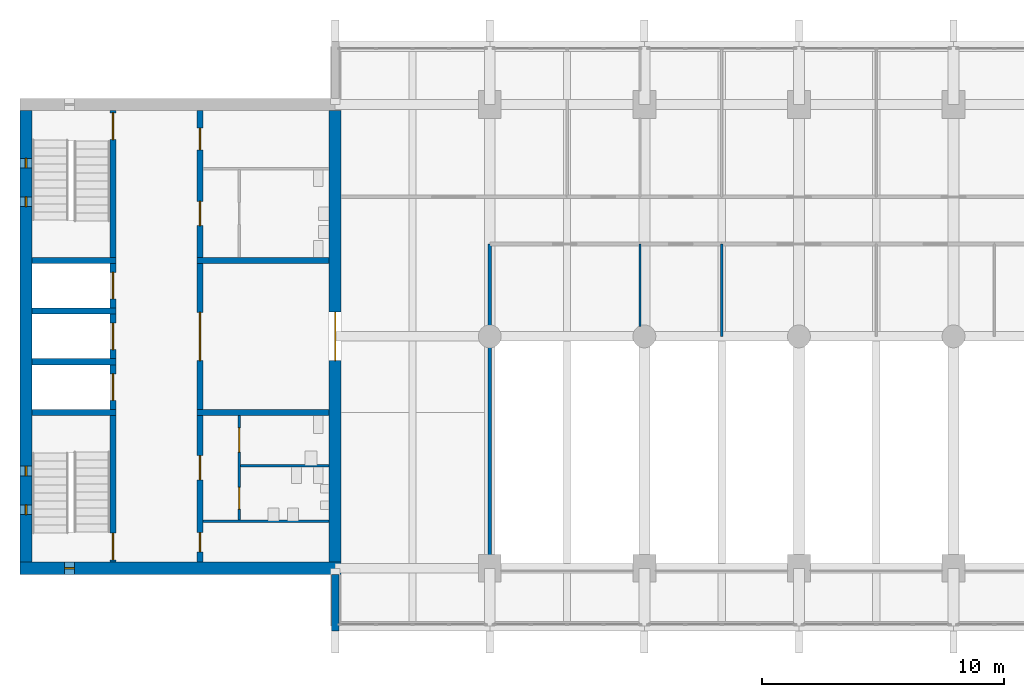
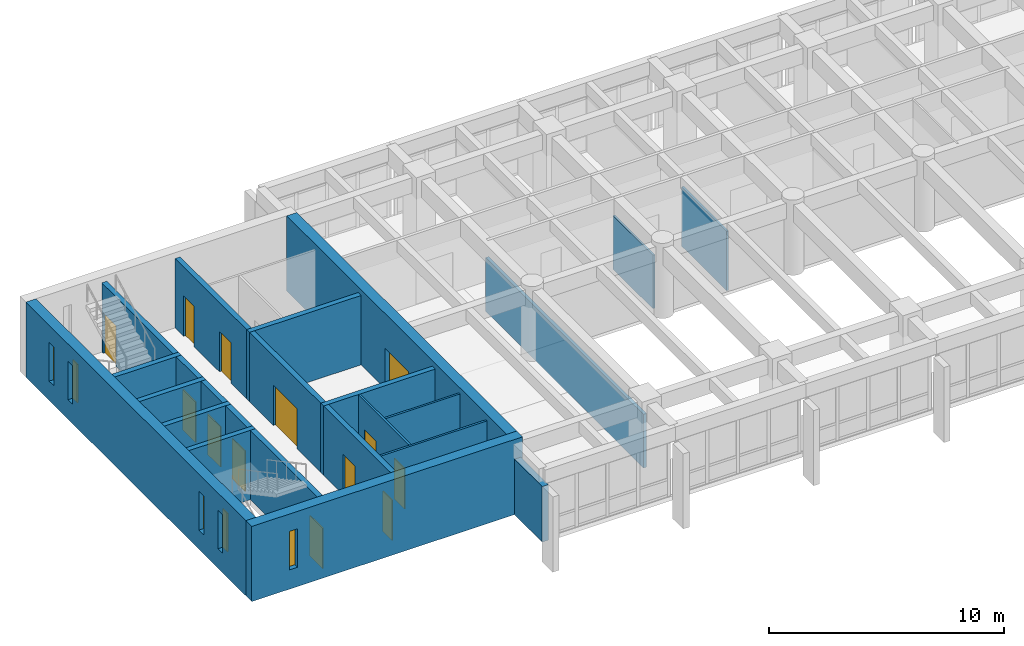
# One storey, part 9 of 15: 24 walls, 13 doors, 5 windows, 18 openings.
"""IFC4 building model written with IfcOpenShell, lengths in metres."""

from ifc_helpers import new_model, si_unit, direction, frame, frame_2d, origin, place, context, subcontext, project, spatial, rectangle, extrude, material, layer, layer_set, type_object, element, fill, save


model = new_model("IFC4")

# Units and contexts
model_context = context("Model", 3, precision=1e-05, world=origin(), true_north=direction((0.0, 1.0)))
body_context = subcontext(model_context, "Body", "Model", "MODEL_VIEW")
ifc_project = project(units=[si_unit("LENGTHUNIT", "METRE"), si_unit("AREAUNIT", "SQUARE_METRE"), si_unit("VOLUMEUNIT", "CUBIC_METRE"), si_unit("PLANEANGLEUNIT", "RADIAN"), si_unit("MASSUNIT", "GRAM", prefix="KILO")], contexts=[model_context])

# Site, building, storey
site_placement = place(None, origin())
site = spatial("IfcSite", under=ifc_project, at=site_placement, CompositionType="ELEMENT")
building_placement = place(site_placement, origin())
building = spatial("IfcBuilding", under=site, at=building_placement, Name="Fogon Plaza Fire Station and Headquarters Tower", CompositionType="ELEMENT")
storey_placement = place(building_placement, frame((0.0, 0.0, 36.60009765625)))
storey = spatial("IfcBuildingStorey", under=building, at=storey_placement, Name="L09", CompositionType="ELEMENT", Elevation=36.60009765625)

# Walls
ifc_material_1 = material(Name="Concrete C40", Category="concrete")
ifc_layer_1 = layer(ifc_material_1, 0.25)
ifc_layer_set_1 = layer_set([ifc_layer_1], Name="Concrete C40")
wall_type_1 = type_object("IfcWallType", Name="Core Wall RC 250", PredefinedType="SOLIDWALL", material=ifc_layer_set_1)
for number, where, z_axis, x_axis, name in (
    (1, (13.050048828125, 40.050048828125, 0.0), (0.0, 0.0, 1.0), (1.0, 0.0, 0.0), "Core A shaft wall"),
    (2, (13.050048828125, 42.14990234375, 0.0), (0.0, 0.0, 1.0), (1.0, 0.0, 0.0), "Core A shaft wall"),
    (3, (13.050048828125, 44.25, 0.0), (0.0, 0.0, 1.0), (1.0, 0.0, 0.0), "Core A shaft wall"),
    (4, (13.050048828125, 46.35009765625, 0.0), (0.0, 0.0, 1.0), (1.0, 0.0, 0.0), "Core A shaft wall"),
):
    element("IfcWall", number, at=place(storey_placement, frame(where, z_axis=z_axis, x_axis=x_axis)), inside=storey, type_object=wall_type_1, Name=name, PredefinedType="SOLIDWALL", context=body_context, shape_type="SweptSolid", body=[
        extrude(rectangle(XDim=3.474853515625, YDim=0.25, at=frame_2d((1.7373046875, 0.0))), origin(), (0.0, 0.0, 1.0), 3.599853515625),
    ])

# Wall, opening, door
wall_1_placement = place(storey_placement, frame((16.39990234375, 33.85009765625, 0.0), z_axis=(0.0, 0.0, 1.0), x_axis=(0.0, 1.0, 0.0)))
wall_1 = element("IfcWall", 5, at=wall_1_placement, inside=storey, type_object=wall_type_1, Name="Core A shaft wall", PredefinedType="SOLIDWALL", context=body_context, shape_type="SweptSolid", body=[
    extrude(rectangle(XDim=6.074951171875, YDim=0.25, at=frame_2d((3.03759765625, 0.0))), origin(), (0.0, 0.0, 1.0), 3.599853515625),
])
opening_1_placement = place(wall_1_placement, frame((0.10009765625, 0.0, 0.0)))
opening_1 = element("IfcOpeningElement", 6, at=opening_1_placement, cuts=wall_1, Name="Opening L09-D01", PredefinedType="OPENING", context=body_context, shape_type="SweptSolid", body=[
    extrude(rectangle(XDim=1.10009765625, YDim=2.10009765625, at=frame_2d((0.550048828125, 1.050048828125))), frame((0.0, 0.135009765625, 0.0), z_axis=(0.0, -1.0, 0.0), x_axis=(1.0, 0.0, 0.0)), (0.0, 0.0, 1.0), 0.27001953125),
])
ifc_material_2 = material(Name="Steel Fire Door Leaf", Category="steel")
door_type_1 = type_object("IfcDoorType", Name="Stair Door Single 1100x2100", OperationType="SINGLE_SWING_LEFT", PredefinedType="DOOR", material=ifc_material_2)
door_1_placement = place(opening_1_placement, origin())
door_1 = element("IfcDoor", 7, at=door_1_placement, inside=storey, type_object=door_type_1, Name="Stair door ST1", OperationType="SINGLE_SWING_LEFT", OverallHeight=2.10009765625, OverallWidth=1.10009765625, PredefinedType="DOOR", context=body_context, shape_type="SweptSolid", body=[
    extrude(rectangle(XDim=1.10009765625, YDim=2.10009765625, at=frame_2d((0.550048828125, 1.050048828125))), frame((0.0, 0.02490234375, 0.0), z_axis=(0.0, -1.0, 0.0), x_axis=(1.0, 0.0, 0.0)), (0.0, 0.0, 1.0), 0.050048828125),
])
fill(opening_1, door_1)

wall_2_placement = place(storey_placement, frame((16.39990234375, 40.175048828125, 0.0), z_axis=(0.0, 0.0, 1.0), x_axis=(0.0, 1.0, 0.0)))
wall_2 = element("IfcWall", 8, at=wall_2_placement, inside=storey, type_object=wall_type_1, Name="Core A shaft wall", PredefinedType="SOLIDWALL", context=body_context, shape_type="SweptSolid", body=[
    extrude(rectangle(XDim=1.849853515625, YDim=0.25, at=frame_2d((0.9248046875, 0.0))), origin(), (0.0, 0.0, 1.0), 3.599853515625),
])
opening_2_placement = place(wall_2_placement, frame((0.375, 0.0, 0.0)))
opening_2 = element("IfcOpeningElement", 9, at=opening_2_placement, cuts=wall_2, Name="Opening L09-D03", PredefinedType="OPENING", context=body_context, shape_type="SweptSolid", body=[
    extrude(rectangle(XDim=1.10009765625, YDim=2.10009765625, at=frame_2d((0.550048828125, 1.050048828125))), frame((0.0, 0.135009765625, 0.0), z_axis=(0.0, -1.0, 0.0), x_axis=(1.0, 0.0, 0.0)), (0.0, 0.0, 1.0), 0.27001953125),
])
ifc_material_3 = material(Name="Stainless Steel", Category="steel")
door_type_2 = type_object("IfcDoorType", Name="Lift Landing Door 1100x2100", OperationType="SLIDING_TO_LEFT", PredefinedType="DOOR", material=ifc_material_3)
door_2_placement = place(opening_2_placement, origin())
door_2 = element("IfcDoor", 10, at=door_2_placement, inside=storey, type_object=door_type_2, Name="Lift LP1 landing door", OperationType="SLIDING_TO_LEFT", OverallHeight=2.10009765625, OverallWidth=1.10009765625, PredefinedType="DOOR", context=body_context, shape_type="SweptSolid", body=[
    extrude(rectangle(XDim=1.10009765625, YDim=2.10009765625, at=frame_2d((0.550048828125, 1.050048828125))), frame((0.0, 0.02490234375, 0.0), z_axis=(0.0, -1.0, 0.0), x_axis=(1.0, 0.0, 0.0)), (0.0, 0.0, 1.0), 0.050048828125),
])
fill(opening_2, door_2)

wall_3_placement = place(storey_placement, frame((16.39990234375, 42.27490234375, 0.0), z_axis=(0.0, 0.0, 1.0), x_axis=(0.0, 1.0, 0.0)))
wall_3 = element("IfcWall", 11, at=wall_3_placement, inside=storey, type_object=wall_type_1, Name="Core A shaft wall", PredefinedType="SOLIDWALL", context=body_context, shape_type="SweptSolid", body=[
    extrude(rectangle(XDim=1.85009765625, YDim=0.25, at=frame_2d((0.925048828125, 0.0))), origin(), (0.0, 0.0, 1.0), 3.599853515625),
])
opening_3_placement = place(wall_3_placement, frame((0.375, 0.0, 0.0)))
opening_3 = element("IfcOpeningElement", 12, at=opening_3_placement, cuts=wall_3, Name="Opening L09-D04", PredefinedType="OPENING", context=body_context, shape_type="SweptSolid", body=[
    extrude(rectangle(XDim=1.10009765625, YDim=2.10009765625, at=frame_2d((0.550048828125, 1.050048828125))), frame((0.0, 0.135009765625, 0.0), z_axis=(0.0, -1.0, 0.0), x_axis=(1.0, 0.0, 0.0)), (0.0, 0.0, 1.0), 0.27001953125),
])
door_3_placement = place(opening_3_placement, origin())
door_3 = element("IfcDoor", 13, at=door_3_placement, inside=storey, type_object=door_type_2, Name="Lift LP2 landing door", OperationType="SLIDING_TO_LEFT", OverallHeight=2.10009765625, OverallWidth=1.10009765625, PredefinedType="DOOR", context=body_context, shape_type="SweptSolid", body=[
    extrude(rectangle(XDim=1.10009765625, YDim=2.10009765625, at=frame_2d((0.550048828125, 1.050048828125))), frame((0.0, 0.02490234375, 0.0), z_axis=(0.0, -1.0, 0.0), x_axis=(1.0, 0.0, 0.0)), (0.0, 0.0, 1.0), 0.050048828125),
])
fill(opening_3, door_3)

wall_4_placement = place(storey_placement, frame((16.39990234375, 44.375, 0.0), z_axis=(0.0, 0.0, 1.0), x_axis=(0.0, 1.0, 0.0)))
wall_4 = element("IfcWall", 14, at=wall_4_placement, inside=storey, type_object=wall_type_1, Name="Core A shaft wall", PredefinedType="SOLIDWALL", context=body_context, shape_type="SweptSolid", body=[
    extrude(rectangle(XDim=1.85009765625, YDim=0.25, at=frame_2d((0.925048828125, 0.0))), origin(), (0.0, 0.0, 1.0), 3.599853515625),
])
opening_4_placement = place(wall_4_placement, frame((0.375, 0.0, 0.0)))
opening_4 = element("IfcOpeningElement", 15, at=opening_4_placement, cuts=wall_4, Name="Opening L09-D05", PredefinedType="OPENING", context=body_context, shape_type="SweptSolid", body=[
    extrude(rectangle(XDim=1.10009765625, YDim=2.10009765625, at=frame_2d((0.550048828125, 1.050048828125))), frame((0.0, 0.135009765625, 0.0), z_axis=(0.0, -1.0, 0.0), x_axis=(1.0, 0.0, 0.0)), (0.0, 0.0, 1.0), 0.27001953125),
])
door_4_placement = place(opening_4_placement, origin())
door_4 = element("IfcDoor", 16, at=door_4_placement, inside=storey, type_object=door_type_2, Name="Lift FL1 landing door", OperationType="SLIDING_TO_LEFT", OverallHeight=2.10009765625, OverallWidth=1.10009765625, PredefinedType="DOOR", context=body_context, shape_type="SweptSolid", body=[
    extrude(rectangle(XDim=1.10009765625, YDim=2.10009765625, at=frame_2d((0.550048828125, 1.050048828125))), frame((0.0, 0.02490234375, 0.0), z_axis=(0.0, -1.0, 0.0), x_axis=(1.0, 0.0, 0.0)), (0.0, 0.0, 1.0), 0.050048828125),
])
fill(opening_4, door_4)

wall_5_placement = place(storey_placement, frame((16.39990234375, 46.47509765625, 0.0), z_axis=(0.0, 0.0, 1.0), x_axis=(0.0, 1.0, 0.0)))
wall_5 = element("IfcWall", 17, at=wall_5_placement, inside=storey, type_object=wall_type_1, Name="Core A shaft wall", PredefinedType="SOLIDWALL", context=body_context, shape_type="SweptSolid", body=[
    extrude(rectangle(XDim=6.074951171875, YDim=0.25, at=frame_2d((3.03759765625, 0.0))), origin(), (0.0, 0.0, 1.0), 3.599853515625),
])
opening_5_placement = place(wall_5_placement, frame((4.875, 0.0, 0.0)))
opening_5 = element("IfcOpeningElement", 18, at=opening_5_placement, cuts=wall_5, Name="Opening L09-D02", PredefinedType="OPENING", context=body_context, shape_type="SweptSolid", body=[
    extrude(rectangle(XDim=1.10009765625, YDim=2.10009765625, at=frame_2d((0.550048828125, 1.050048828125))), frame((0.0, 0.135009765625, 0.0), z_axis=(0.0, -1.0, 0.0), x_axis=(1.0, 0.0, 0.0)), (0.0, 0.0, 1.0), 0.27001953125),
])
door_5_placement = place(opening_5_placement, origin())
door_5 = element("IfcDoor", 19, at=door_5_placement, inside=storey, type_object=door_type_1, Name="Stair door ST2", OperationType="SINGLE_SWING_RIGHT", OverallHeight=2.10009765625, OverallWidth=1.10009765625, PredefinedType="DOOR", context=body_context, shape_type="SweptSolid", body=[
    extrude(rectangle(XDim=1.10009765625, YDim=2.10009765625, at=frame_2d((0.550048828125, 1.050048828125))), frame((0.0, 0.02490234375, 0.0), z_axis=(0.0, -1.0, 0.0), x_axis=(1.0, 0.0, 0.0)), (0.0, 0.0, 1.0), 0.050048828125),
])
fill(opening_5, door_5)

# Wall, openings, doors
wall_6_placement = place(storey_placement, frame((20.0, 33.85009765625, 0.0), z_axis=(0.0, 0.0, 1.0), x_axis=(0.0, 1.0, 0.0)))
wall_6 = element("IfcWall", 20, at=wall_6_placement, inside=storey, type_object=wall_type_1, Name="Core A shaft wall", PredefinedType="SOLIDWALL", context=body_context, shape_type="SweptSolid", body=[
    extrude(rectangle(XDim=6.074951171875, YDim=0.25, at=frame_2d((3.03759765625, 0.0))), origin(), (0.0, 0.0, 1.0), 3.599853515625),
])
opening_6_placement = place(wall_6_placement, frame((0.425048828125, 0.0, 0.0)))
opening_6 = element("IfcOpeningElement", 21, at=opening_6_placement, cuts=wall_6, Name="Opening L09-D08", PredefinedType="OPENING", context=body_context, shape_type="SweptSolid", body=[
    extrude(rectangle(XDim=0.800048828125, YDim=2.10009765625, at=frame_2d((0.39990234375, 1.050048828125))), frame((0.0, 0.135009765625, 0.0), z_axis=(0.0, -1.0, 0.0), x_axis=(1.0, 0.0, 0.0)), (0.0, 0.0, 1.0), 0.27001953125),
])
opening_7_placement = place(wall_6_placement, frame((3.41259765625, 0.0, 0.0)))
opening_7 = element("IfcOpeningElement", 22, at=opening_7_placement, cuts=wall_6, Name="Opening L09-D09", PredefinedType="OPENING", context=body_context, shape_type="SweptSolid", body=[
    extrude(rectangle(XDim=1.0, YDim=2.10009765625, at=frame_2d((0.5, 1.050048828125))), frame((0.0, 0.135009765625, 0.0), z_axis=(0.0, -1.0, 0.0), x_axis=(1.0, 0.0, 0.0)), (0.0, 0.0, 1.0), 0.27001953125),
])
ifc_material_4 = material(Name="Timber Door Leaf", Category="wood")
door_type_3 = type_object("IfcDoorType", Name="Cleaner Store Single 800x2100", OperationType="SINGLE_SWING_LEFT", PredefinedType="DOOR", material=ifc_material_4)
door_6_placement = place(opening_6_placement, frame((0.800048828125, 0.0, 0.0), z_axis=(0.0, 0.0, 1.0), x_axis=(-1.0, 0.0, 0.0)))
door_6 = element("IfcDoor", 23, at=door_6_placement, inside=storey, type_object=door_type_3, Name="Cleaner's store A door", OperationType="SINGLE_SWING_LEFT", OverallHeight=2.10009765625, OverallWidth=0.800048828125, PredefinedType="DOOR", context=body_context, shape_type="SweptSolid", body=[
    extrude(rectangle(XDim=0.800048828125, YDim=2.10009765625, at=frame_2d((0.39990234375, 1.050048828125))), frame((0.0, 0.02490234375, 0.0), z_axis=(0.0, -1.0, 0.0), x_axis=(1.0, 0.0, 0.0)), (0.0, 0.0, 1.0), 0.050048828125),
])
fill(opening_6, door_6)
ifc_material_5 = material(Name="Timber fire door", Category="wood")
door_type_4 = type_object("IfcDoorType", Name="WC Lobby Single 1000x2100", OperationType="SINGLE_SWING_LEFT", PredefinedType="DOOR", material=ifc_material_5)
door_7_placement = place(opening_7_placement, frame((1.0, 0.0, 0.0), z_axis=(0.0, 0.0, 1.0), x_axis=(-1.0, 0.0, 0.0)))
door_7 = element("IfcDoor", 24, at=door_7_placement, inside=storey, type_object=door_type_4, Name="Men's WC lobby A door", OperationType="SINGLE_SWING_RIGHT", OverallHeight=2.10009765625, OverallWidth=1.0, PredefinedType="DOOR", context=body_context, shape_type="SweptSolid", body=[
    extrude(rectangle(XDim=1.0, YDim=2.10009765625, at=frame_2d((0.5, 1.050048828125))), frame((0.0, 0.02490234375, 0.0), z_axis=(0.0, -1.0, 0.0), x_axis=(1.0, 0.0, 0.0)), (0.0, 0.0, 1.0), 0.050048828125),
])
fill(opening_7, door_7)

# Wall, opening, door
wall_7_placement = place(storey_placement, frame((20.0, 40.175048828125, 0.0), z_axis=(0.0, 0.0, 1.0), x_axis=(0.0, 1.0, 0.0)))
wall_7 = element("IfcWall", 25, at=wall_7_placement, inside=storey, type_object=wall_type_1, Name="Core A shaft wall", PredefinedType="SOLIDWALL", context=body_context, shape_type="SweptSolid", body=[
    extrude(rectangle(XDim=6.050048828125, YDim=0.25, at=frame_2d((3.02490234375, 0.0))), origin(), (0.0, 0.0, 1.0), 3.599853515625),
])
opening_8_placement = place(wall_7_placement, frame((2.02490234375, 0.0, 0.0)))
opening_8 = element("IfcOpeningElement", 26, at=opening_8_placement, cuts=wall_7, Name="Opening L09-D06", PredefinedType="OPENING", context=body_context, shape_type="SweptSolid", body=[
    extrude(rectangle(XDim=2.0, YDim=2.10009765625, at=frame_2d((1.0, 1.050048828125))), frame((0.0, 0.135009765625, 0.0), z_axis=(0.0, -1.0, 0.0), x_axis=(1.0, 0.0, 0.0)), (0.0, 0.0, 1.0), 0.27001953125),
])
ifc_material_6 = material(Name="Steel Fire Door Leaf", Category="steel")
door_type_5 = type_object("IfcDoorType", Name="Vestibule Double 2000x2100", OperationType="DOUBLE_DOOR_SINGLE_SWING", PredefinedType="DOOR", material=ifc_material_6)
door_8_placement = place(opening_8_placement, frame((2.0, 0.0, 0.0), z_axis=(0.0, 0.0, 1.0), x_axis=(-1.0, 0.0, 0.0)))
door_8 = element("IfcDoor", 27, at=door_8_placement, inside=storey, type_object=door_type_5, Name="Vestibule A door", OperationType="DOUBLE_DOOR_SINGLE_SWING", OverallHeight=2.10009765625, OverallWidth=2.0, PredefinedType="DOOR", context=body_context, shape_type="SweptSolid", body=[
    extrude(rectangle(XDim=2.0, YDim=2.10009765625, at=frame_2d((1.0, 1.050048828125))), frame((0.0, 0.02490234375, 0.0), z_axis=(0.0, -1.0, 0.0), x_axis=(1.0, 0.0, 0.0)), (0.0, 0.0, 1.0), 0.050048828125),
])
fill(opening_8, door_8)

# Wall, openings, doors
wall_8_placement = place(storey_placement, frame((20.0, 46.47509765625, 0.0), z_axis=(0.0, 0.0, 1.0), x_axis=(0.0, 1.0, 0.0)))
wall_8 = element("IfcWall", 28, at=wall_8_placement, inside=storey, type_object=wall_type_1, Name="Core A shaft wall", PredefinedType="SOLIDWALL", context=body_context, shape_type="SweptSolid", body=[
    extrude(rectangle(XDim=6.074951171875, YDim=0.25, at=frame_2d((3.03759765625, 0.0))), origin(), (0.0, 0.0, 1.0), 3.599853515625),
])
opening_9_placement = place(wall_8_placement, frame((1.3125, 0.0, 0.0)))
opening_9 = element("IfcOpeningElement", 29, at=opening_9_placement, cuts=wall_8, Name="Opening L09-D12", PredefinedType="OPENING", context=body_context, shape_type="SweptSolid", body=[
    extrude(rectangle(XDim=1.0, YDim=2.10009765625, at=frame_2d((0.5, 1.050048828125))), frame((0.0, 0.135009765625, 0.0), z_axis=(0.0, -1.0, 0.0), x_axis=(1.0, 0.0, 0.0)), (0.0, 0.0, 1.0), 0.27001953125),
])
opening_10_placement = place(wall_8_placement, frame((4.449951171875, 0.0, 0.0)))
opening_10 = element("IfcOpeningElement", 30, at=opening_10_placement, cuts=wall_8, Name="Opening L09-D14", PredefinedType="OPENING", context=body_context, shape_type="SweptSolid", body=[
    extrude(rectangle(XDim=0.89990234375, YDim=2.10009765625, at=frame_2d((0.449951171875, 1.050048828125))), frame((0.0, 0.135009765625, 0.0), z_axis=(0.0, -1.0, 0.0), x_axis=(1.0, 0.0, 0.0)), (0.0, 0.0, 1.0), 0.27001953125),
])
ifc_material_7 = material(Name="Steel Fire Door Leaf", Category="steel")
door_type_6 = type_object("IfcDoorType", Name="Riser Single 900x2100", OperationType="SINGLE_SWING_LEFT", PredefinedType="DOOR", material=ifc_material_7)
door_9_placement = place(opening_10_placement, frame((0.89990234375, 0.0, 0.0), z_axis=(0.0, 0.0, 1.0), x_axis=(-1.0, 0.0, 0.0)))
door_9 = element("IfcDoor", 31, at=door_9_placement, inside=storey, type_object=door_type_6, Name="Riser room A door", OperationType="SINGLE_SWING_LEFT", OverallHeight=2.10009765625, OverallWidth=0.89990234375, PredefinedType="DOOR", context=body_context, shape_type="SweptSolid", body=[
    extrude(rectangle(XDim=0.89990234375, YDim=2.10009765625, at=frame_2d((0.449951171875, 1.050048828125))), frame((0.0, 0.02490234375, 0.0), z_axis=(0.0, -1.0, 0.0), x_axis=(1.0, 0.0, 0.0)), (0.0, 0.0, 1.0), 0.050048828125),
])
fill(opening_10, door_9)
door_10_placement = place(opening_9_placement, frame((1.0, 0.0, 0.0), z_axis=(0.0, 0.0, 1.0), x_axis=(-1.0, 0.0, 0.0)))
door_10 = element("IfcDoor", 32, at=door_10_placement, inside=storey, type_object=door_type_4, Name="Women's WC lobby A door", OperationType="SINGLE_SWING_LEFT", OverallHeight=2.10009765625, OverallWidth=1.0, PredefinedType="DOOR", context=body_context, shape_type="SweptSolid", body=[
    extrude(rectangle(XDim=1.0, YDim=2.10009765625, at=frame_2d((0.5, 1.050048828125))), frame((0.0, 0.02490234375, 0.0), z_axis=(0.0, -1.0, 0.0), x_axis=(1.0, 0.0, 0.0)), (0.0, 0.0, 1.0), 0.050048828125),
])
fill(opening_9, door_10)

# Walls
for number, where, z_axis, x_axis, name in (
    (33, (19.875, 40.050048828125, 0.0), (0.0, 0.0, 1.0), (1.0, 0.0, 0.0), "Core A shaft wall"),
    (34, (19.875, 46.35009765625, 0.0), (0.0, 0.0, 1.0), (1.0, 0.0, 0.0), "Core A shaft wall"),
):
    element("IfcWall", number, at=place(storey_placement, frame(where, z_axis=z_axis, x_axis=x_axis)), inside=storey, type_object=wall_type_1, Name=name, PredefinedType="SOLIDWALL", context=body_context, shape_type="SweptSolid", body=[
        extrude(rectangle(XDim=5.47509765625, YDim=0.25, at=frame_2d((2.737548828125, 0.0))), origin(), (0.0, 0.0, 1.0), 3.599853515625),
    ])
ifc_material_8 = material(Name="Concrete C40", Category="concrete")
ifc_layer_2 = layer(ifc_material_8, 0.300048828125)
ifc_layer_set_2 = layer_set([ifc_layer_2], Name="Concrete C40")
wall_type_2 = type_object("IfcWallType", Name="Fair-faced RC Return Panel 300", PredefinedType="SOLIDWALL", material=ifc_layer_set_2)
wall_9_placement = place(storey_placement, frame((25.60009765625, 31.0, 0.0), z_axis=(0.0, 0.0, 1.0), x_axis=(0.0, 1.0, 0.0)))
element("IfcWall", 35, at=wall_9_placement, inside=storey, type_object=wall_type_2, Name="Bar end return WS L09", PredefinedType="SOLIDWALL", context=body_context, shape_type="SweptSolid", body=[
    extrude(rectangle(XDim=2.35009765625, YDim=0.300048828125, at=frame_2d((1.175048828125, 0.0))), origin(), (0.0, 0.0, 1.0), 2.8798828125),
])
ifc_material_9 = material(Name="Blockwork", Category="masonry")
ifc_layer_3 = layer(ifc_material_9, 0.10009765625)
ifc_layer_set_3 = layer_set([ifc_layer_3], Name="Blockwork")
wall_type_3 = type_object("IfcWallType", Name="Partition Blockwork 100", PredefinedType="PARTITIONING", material=ifc_layer_set_3)
wall_10_placement = place(storey_placement, frame((20.125, 35.550048828125, 0.0), z_axis=(0.0, 0.0, 1.0), x_axis=(1.0, 0.0, 0.0)))
element("IfcWall", 36, at=wall_10_placement, inside=storey, type_object=wall_type_3, Name="Cleaner's store partition", PredefinedType="PARTITIONING", context=body_context, shape_type="SweptSolid", body=[
    extrude(rectangle(XDim=5.22509765625, YDim=0.10009765625, at=frame_2d((2.612548828125, 0.0))), origin(), (0.0, 0.0, 1.0), 3.599853515625),
])

# Wall, openings, doors
wall_11_placement = place(storey_placement, frame((21.625, 35.60009765625, 0.0), z_axis=(0.0, 0.0, 1.0), x_axis=(0.0, 1.0, 0.0)))
wall_11 = element("IfcWall", 37, at=wall_11_placement, inside=storey, type_object=wall_type_3, Name="WC block partition", PredefinedType="PARTITIONING", context=body_context, shape_type="SweptSolid", body=[
    extrude(rectangle(XDim=4.324951171875, YDim=0.10009765625, at=frame_2d((2.16259765625, 0.0))), origin(), (0.0, 0.0, 1.0), 3.599853515625),
])
opening_11_placement = place(wall_11_placement, frame((0.449951171875, 0.0, 0.0)))
opening_11 = element("IfcOpeningElement", 38, at=opening_11_placement, cuts=wall_11, Name="Opening L09-D10", PredefinedType="OPENING", context=body_context, shape_type="SweptSolid", body=[
    extrude(rectangle(XDim=0.89990234375, YDim=2.10009765625, at=frame_2d((0.449951171875, 1.050048828125))), frame((0.0, 0.06005859375, 0.0), z_axis=(0.0, -1.0, 0.0), x_axis=(1.0, 0.0, 0.0)), (0.0, 0.0, 1.0), 0.1201171875),
])
opening_12_placement = place(wall_11_placement, frame((2.8125, 0.0, 0.0)))
opening_12 = element("IfcOpeningElement", 39, at=opening_12_placement, cuts=wall_11, Name="Opening L09-D11", PredefinedType="OPENING", context=body_context, shape_type="SweptSolid", body=[
    extrude(rectangle(XDim=1.0, YDim=2.10009765625, at=frame_2d((0.5, 1.050048828125))), frame((0.0, 0.06005859375, 0.0), z_axis=(0.0, -1.0, 0.0), x_axis=(1.0, 0.0, 0.0)), (0.0, 0.0, 1.0), 0.1201171875),
])
ifc_material_10 = material(Name="Timber Door Leaf", Category="wood")
door_type_7 = type_object("IfcDoorType", Name="Accessible WC Single 1000x2100", OperationType="SINGLE_SWING_LEFT", PredefinedType="DOOR", material=ifc_material_10)
door_11_placement = place(opening_12_placement, frame((1.0, 0.0, 0.0), z_axis=(0.0, 0.0, 1.0), x_axis=(-1.0, 0.0, 0.0)))
door_11 = element("IfcDoor", 40, at=door_11_placement, inside=storey, type_object=door_type_7, Name="Accessible WC A door", OperationType="SINGLE_SWING_RIGHT", OverallHeight=2.10009765625, OverallWidth=1.0, PredefinedType="DOOR", context=body_context, shape_type="SweptSolid", body=[
    extrude(rectangle(XDim=1.0, YDim=2.10009765625, at=frame_2d((0.5, 1.050048828125))), frame((0.0, 0.02490234375, 0.0), z_axis=(0.0, -1.0, 0.0), x_axis=(1.0, 0.0, 0.0)), (0.0, 0.0, 1.0), 0.050048828125),
])
fill(opening_12, door_11)
ifc_material_11 = material(Name="Timber Door Leaf", Category="wood")
door_type_8 = type_object("IfcDoorType", Name="WC Single 900x2100", OperationType="SINGLE_SWING_LEFT", PredefinedType="DOOR", material=ifc_material_11)
door_12_placement = place(opening_11_placement, frame((0.89990234375, 0.0, 0.0), z_axis=(0.0, 0.0, 1.0), x_axis=(-1.0, 0.0, 0.0)))
door_12 = element("IfcDoor", 41, at=door_12_placement, inside=storey, type_object=door_type_8, Name="Men's WC A door", OperationType="SINGLE_SWING_RIGHT", OverallHeight=2.10009765625, OverallWidth=0.89990234375, PredefinedType="DOOR", context=body_context, shape_type="SweptSolid", body=[
    extrude(rectangle(XDim=0.89990234375, YDim=2.10009765625, at=frame_2d((0.449951171875, 1.050048828125))), frame((0.0, 0.02490234375, 0.0), z_axis=(0.0, -1.0, 0.0), x_axis=(1.0, 0.0, 0.0)), (0.0, 0.0, 1.0), 0.050048828125),
])
fill(opening_11, door_12)

# Wall
wall_12_placement = place(storey_placement, frame((21.675048828125, 37.85009765625, 0.0), z_axis=(0.0, 0.0, 1.0), x_axis=(1.0, 0.0, 0.0)))
element("IfcWall", 42, at=wall_12_placement, inside=storey, type_object=wall_type_3, Name="WC block partition", PredefinedType="PARTITIONING", context=body_context, shape_type="SweptSolid", body=[
    extrude(rectangle(XDim=3.675048828125, YDim=0.10009765625, at=frame_2d((1.83740234375, 0.0))), origin(), (0.0, 0.0, 1.0), 3.599853515625),
])

# Wall, opening, window
ifc_material_12 = material(Name="Concrete C40", Category="concrete")
ifc_layer_4 = layer(ifc_material_12, 0.5)
ifc_layer_set_4 = layer_set([ifc_layer_4], Name="Concrete C40")
wall_type_4 = type_object("IfcWallType", Name="Shear wall 500 SW50", PredefinedType="SHEAR", material=ifc_layer_set_4)
wall_13_placement = place(storey_placement, frame((12.550048828125, 33.60009765625, 0.0), z_axis=(0.0, 0.0, 1.0), x_axis=(1.0, 0.0, 0.0)))
wall_13 = element("IfcWall", 43, at=wall_13_placement, inside=storey, type_object=wall_type_4, Name="wall-coreA-S-L09", PredefinedType="SHEAR", context=body_context, shape_type="SweptSolid", body=[
    extrude(rectangle(XDim=13.300048828125, YDim=0.5, at=frame_2d((6.64990234375, 0.0))), origin(), (0.0, 0.0, 1.0), 3.89990234375),
])
opening_13_placement = place(wall_13_placement, frame((1.85009765625, 0.0, 1.0)))
opening_13 = element("IfcOpeningElement", 44, at=opening_13_placement, cuts=wall_13, Name="Opening WS1", PredefinedType="OPENING", context=body_context, shape_type="SweptSolid", body=[
    extrude(rectangle(XDim=0.39990234375, YDim=2.0, at=frame_2d((0.199951171875, 1.0))), frame((0.0, 0.260009765625, 0.0), z_axis=(0.0, -1.0, 0.0), x_axis=(1.0, 0.0, 0.0)), (0.0, 0.0, 1.0), 0.52001953125),
])
ifc_material_13 = material(Name="Aluminium framed double glazing", Category="aluminium")
window_type = type_object("IfcWindowType", Name="Slit Window WS1 400x2000", PartitioningType="SINGLE_PANEL", PredefinedType="WINDOW", material=ifc_material_13)
window_1_placement = place(opening_13_placement, origin())
window_1 = element("IfcWindow", 45, at=window_1_placement, inside=storey, type_object=window_type, Name="Slit window A5 L09", OverallHeight=2.0, OverallWidth=0.39990234375, PartitioningType="SINGLE_PANEL", PredefinedType="WINDOW", context=body_context, shape_type="SweptSolid", body=[
    extrude(rectangle(XDim=0.39990234375, YDim=2.0, at=frame_2d((0.199951171875, 1.0))), frame((0.0, 0.030029296875, 0.0), z_axis=(0.0, -1.0, 0.0), x_axis=(1.0, 0.0, 0.0)), (0.0, 0.0, 1.0), 0.06005859375),
])
fill(opening_13, window_1)

# Wall, opening, door
wall_14_placement = place(storey_placement, frame((25.60009765625, 33.85009765625, 0.0), z_axis=(0.0, 0.0, 1.0), x_axis=(0.0, 1.0, 0.0)))
wall_14 = element("IfcWall", 46, at=wall_14_placement, inside=storey, type_object=wall_type_4, Name="wall-coreA-E-L09", PredefinedType="SHEAR", context=body_context, shape_type="SweptSolid", body=[
    extrude(rectangle(XDim=18.699951171875, YDim=0.5, at=frame_2d((9.35009765625, 0.0))), origin(), (0.0, 0.0, 1.0), 3.89990234375),
])
opening_14_placement = place(wall_14_placement, frame((8.35009765625, 0.0, 0.0)))
opening_14 = element("IfcOpeningElement", 47, at=opening_14_placement, cuts=wall_14, Name="Opening L09-D07", PredefinedType="OPENING", context=body_context, shape_type="SweptSolid", body=[
    extrude(rectangle(XDim=2.0, YDim=2.10009765625, at=frame_2d((1.0, 1.050048828125))), frame((0.0, 0.260009765625, 0.0), z_axis=(0.0, -1.0, 0.0), x_axis=(1.0, 0.0, 0.0)), (0.0, 0.0, 1.0), 0.52001953125),
])
door_13_placement = place(opening_14_placement, origin())
door_13 = element("IfcDoor", 48, at=door_13_placement, inside=storey, type_object=door_type_5, Name="Vestibule A door to the office zone", OperationType="DOUBLE_DOOR_SINGLE_SWING", OverallHeight=2.10009765625, OverallWidth=2.0, PredefinedType="DOOR", context=body_context, shape_type="SweptSolid", body=[
    extrude(rectangle(XDim=2.0, YDim=2.10009765625, at=frame_2d((1.0, 1.050048828125))), frame((0.0, 0.02490234375, 0.0), z_axis=(0.0, -1.0, 0.0), x_axis=(1.0, 0.0, 0.0)), (0.0, 0.0, 1.0), 0.050048828125),
])
fill(opening_14, door_13)

# Wall, openings, windows
wall_15_placement = place(storey_placement, frame((12.800048828125, 33.85009765625, 0.0), z_axis=(0.0, 0.0, 1.0), x_axis=(0.0, 1.0, 0.0)))
wall_15 = element("IfcWall", 49, at=wall_15_placement, inside=storey, type_object=wall_type_4, Name="wall-coreA-W-L09", PredefinedType="SHEAR", context=body_context, shape_type="SweptSolid", body=[
    extrude(rectangle(XDim=18.699951171875, YDim=0.5, at=frame_2d((9.35009765625, 0.0))), origin(), (0.0, 0.0, 1.0), 3.89990234375),
])
opening_15_placement = place(wall_15_placement, frame((1.97509765625, 0.0, 1.0)))
opening_15 = element("IfcOpeningElement", 50, at=opening_15_placement, cuts=wall_15, Name="Opening WS1", PredefinedType="OPENING", context=body_context, shape_type="SweptSolid", body=[
    extrude(rectangle(XDim=0.39990234375, YDim=2.0, at=frame_2d((0.199951171875, 1.0))), frame((0.0, 0.260009765625, 0.0), z_axis=(0.0, -1.0, 0.0), x_axis=(1.0, 0.0, 0.0)), (0.0, 0.0, 1.0), 0.52001953125),
])
opening_16_placement = place(wall_15_placement, frame((3.574951171875, 0.0, 1.0)))
opening_16 = element("IfcOpeningElement", 51, at=opening_16_placement, cuts=wall_15, Name="Opening WS1", PredefinedType="OPENING", context=body_context, shape_type="SweptSolid", body=[
    extrude(rectangle(XDim=0.39990234375, YDim=2.0, at=frame_2d((0.199951171875, 1.0))), frame((0.0, 0.260009765625, 0.0), z_axis=(0.0, -1.0, 0.0), x_axis=(1.0, 0.0, 0.0)), (0.0, 0.0, 1.0), 0.52001953125),
])
opening_17_placement = place(wall_15_placement, frame((14.72509765625, 0.0, 1.0)))
opening_17 = element("IfcOpeningElement", 52, at=opening_17_placement, cuts=wall_15, Name="Opening WS1", PredefinedType="OPENING", context=body_context, shape_type="SweptSolid", body=[
    extrude(rectangle(XDim=0.39990234375, YDim=2.0, at=frame_2d((0.199951171875, 1.0))), frame((0.0, 0.260009765625, 0.0), z_axis=(0.0, -1.0, 0.0), x_axis=(1.0, 0.0, 0.0)), (0.0, 0.0, 1.0), 0.52001953125),
])
opening_18_placement = place(wall_15_placement, frame((16.324951171875, 0.0, 1.0)))
opening_18 = element("IfcOpeningElement", 53, at=opening_18_placement, cuts=wall_15, Name="Opening WS1", PredefinedType="OPENING", context=body_context, shape_type="SweptSolid", body=[
    extrude(rectangle(XDim=0.39990234375, YDim=2.0, at=frame_2d((0.199951171875, 1.0))), frame((0.0, 0.260009765625, 0.0), z_axis=(0.0, -1.0, 0.0), x_axis=(1.0, 0.0, 0.0)), (0.0, 0.0, 1.0), 0.52001953125),
])
window_2_placement = place(opening_15_placement, origin())
window_2 = element("IfcWindow", 54, at=window_2_placement, inside=storey, type_object=window_type, Name="Slit window A1 L09", OverallHeight=2.0, OverallWidth=0.39990234375, PartitioningType="SINGLE_PANEL", PredefinedType="WINDOW", context=body_context, shape_type="SweptSolid", body=[
    extrude(rectangle(XDim=0.39990234375, YDim=2.0, at=frame_2d((0.199951171875, 1.0))), frame((0.0, 0.030029296875, 0.0), z_axis=(0.0, -1.0, 0.0), x_axis=(1.0, 0.0, 0.0)), (0.0, 0.0, 1.0), 0.06005859375),
])
fill(opening_15, window_2)
window_3_placement = place(opening_16_placement, origin())
window_3 = element("IfcWindow", 55, at=window_3_placement, inside=storey, type_object=window_type, Name="Slit window A2 L09", OverallHeight=2.0, OverallWidth=0.39990234375, PartitioningType="SINGLE_PANEL", PredefinedType="WINDOW", context=body_context, shape_type="SweptSolid", body=[
    extrude(rectangle(XDim=0.39990234375, YDim=2.0, at=frame_2d((0.199951171875, 1.0))), frame((0.0, 0.030029296875, 0.0), z_axis=(0.0, -1.0, 0.0), x_axis=(1.0, 0.0, 0.0)), (0.0, 0.0, 1.0), 0.06005859375),
])
fill(opening_16, window_3)
window_4_placement = place(opening_17_placement, origin())
window_4 = element("IfcWindow", 56, at=window_4_placement, inside=storey, type_object=window_type, Name="Slit window A3 L09", OverallHeight=2.0, OverallWidth=0.39990234375, PartitioningType="SINGLE_PANEL", PredefinedType="WINDOW", context=body_context, shape_type="SweptSolid", body=[
    extrude(rectangle(XDim=0.39990234375, YDim=2.0, at=frame_2d((0.199951171875, 1.0))), frame((0.0, 0.030029296875, 0.0), z_axis=(0.0, -1.0, 0.0), x_axis=(1.0, 0.0, 0.0)), (0.0, 0.0, 1.0), 0.06005859375),
])
fill(opening_17, window_4)
window_5_placement = place(opening_18_placement, origin())
window_5 = element("IfcWindow", 57, at=window_5_placement, inside=storey, type_object=window_type, Name="Slit window A4 L09", OverallHeight=2.0, OverallWidth=0.39990234375, PartitioningType="SINGLE_PANEL", PredefinedType="WINDOW", context=body_context, shape_type="SweptSolid", body=[
    extrude(rectangle(XDim=0.39990234375, YDim=2.0, at=frame_2d((0.199951171875, 1.0))), frame((0.0, 0.030029296875, 0.0), z_axis=(0.0, -1.0, 0.0), x_axis=(1.0, 0.0, 0.0)), (0.0, 0.0, 1.0), 0.06005859375),
])
fill(opening_18, window_5)

# Walls
ifc_material_14 = material(Name="Gypsum board on steel stud", Category="steel")
ifc_layer_5 = layer(ifc_material_14, 0.14990234375)
ifc_layer_set_5 = layer_set([ifc_layer_5], Name="Gypsum board on steel stud")
wall_type_5 = type_object("IfcWallType", Name="Tower corridor partition 150 EI 60 Beam Head 900", PredefinedType="PARTITIONING", material=ifc_layer_set_5)
wall_16_placement = place(storey_placement, frame((32.0, 33.60009765625, 0.0), z_axis=(0.0, 0.0, 1.0), x_axis=(0.0, 1.0, 0.0)))
element("IfcWall", 58, at=wall_16_placement, inside=storey, type_object=wall_type_5, Name="part-L09-22", PredefinedType="PARTITIONING", context=body_context, shape_type="SweptSolid", body=[
    extrude(rectangle(XDim=13.4248046875, YDim=0.14990234375, at=frame_2d((6.71240234375, 0.0))), origin(), (0.0, 0.0, 1.0), 2.77978515625),
])
ifc_material_15 = material(Name="Gypsum board on steel stud", Category="steel")
ifc_layer_6 = layer(ifc_material_15, 0.10009765625)
ifc_layer_set_6 = layer_set([ifc_layer_6], Name="Gypsum board on steel stud")
wall_type_6 = type_object("IfcWallType", Name="Tower office partition 100 Beam Head 600", PredefinedType="PARTITIONING", material=ifc_layer_set_6)
wall_17_placement = place(storey_placement, frame((41.60009765625, 43.199951171875, 0.0), z_axis=(0.0, 0.0, 1.0), x_axis=(0.0, 1.0, 0.0)))
element("IfcWall", 59, at=wall_17_placement, inside=storey, type_object=wall_type_6, Name="part-L09-07", PredefinedType="PARTITIONING", context=body_context, shape_type="SweptSolid", body=[
    extrude(rectangle(XDim=3.824951171875, YDim=0.10009765625, at=frame_2d((1.91259765625, 0.0))), origin(), (0.0, 0.0, 1.0), 3.079833984375),
])
ifc_material_16 = material(Name="Gypsum board on steel stud", Category="steel")
ifc_layer_7 = layer(ifc_material_16, 0.10009765625)
ifc_layer_set_7 = layer_set([ifc_layer_7], Name="Gypsum board on steel stud")
wall_type_7 = type_object("IfcWallType", Name="Tower office partition 100 Beam Head 900", PredefinedType="PARTITIONING", material=ifc_layer_set_7)
wall_18_placement = place(storey_placement, frame((38.219970703125, 43.61962890625, 0.0), z_axis=(0.0, 0.0, 1.0), x_axis=(0.0, 1.0, 0.0)))
element("IfcWall", 60, at=wall_18_placement, inside=storey, type_object=wall_type_7, Name="part-L09-06", PredefinedType="PARTITIONING", context=body_context, shape_type="SweptSolid", body=[
    extrude(rectangle(XDim=3.4052734375, YDim=0.10009765625, at=frame_2d((1.70263671875, 0.0))), origin(), (0.0, 0.0, 1.0), 2.77978515625),
])

save(model, "model.ifc")
